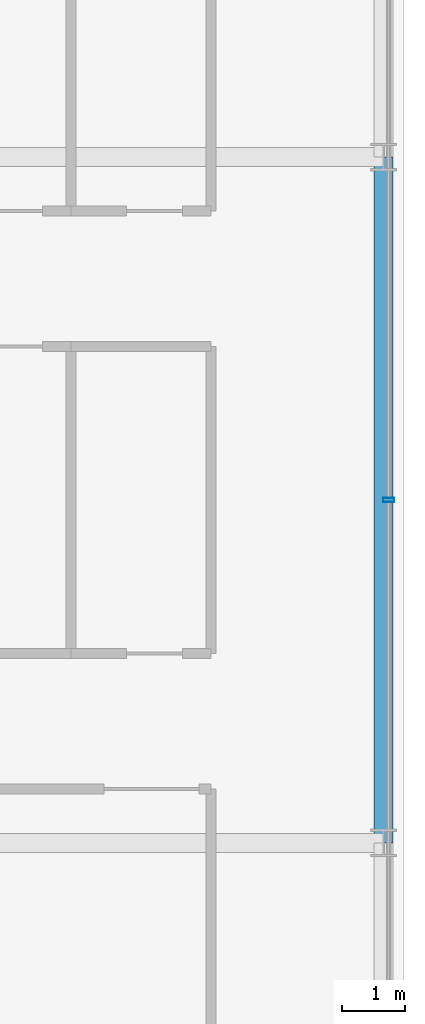
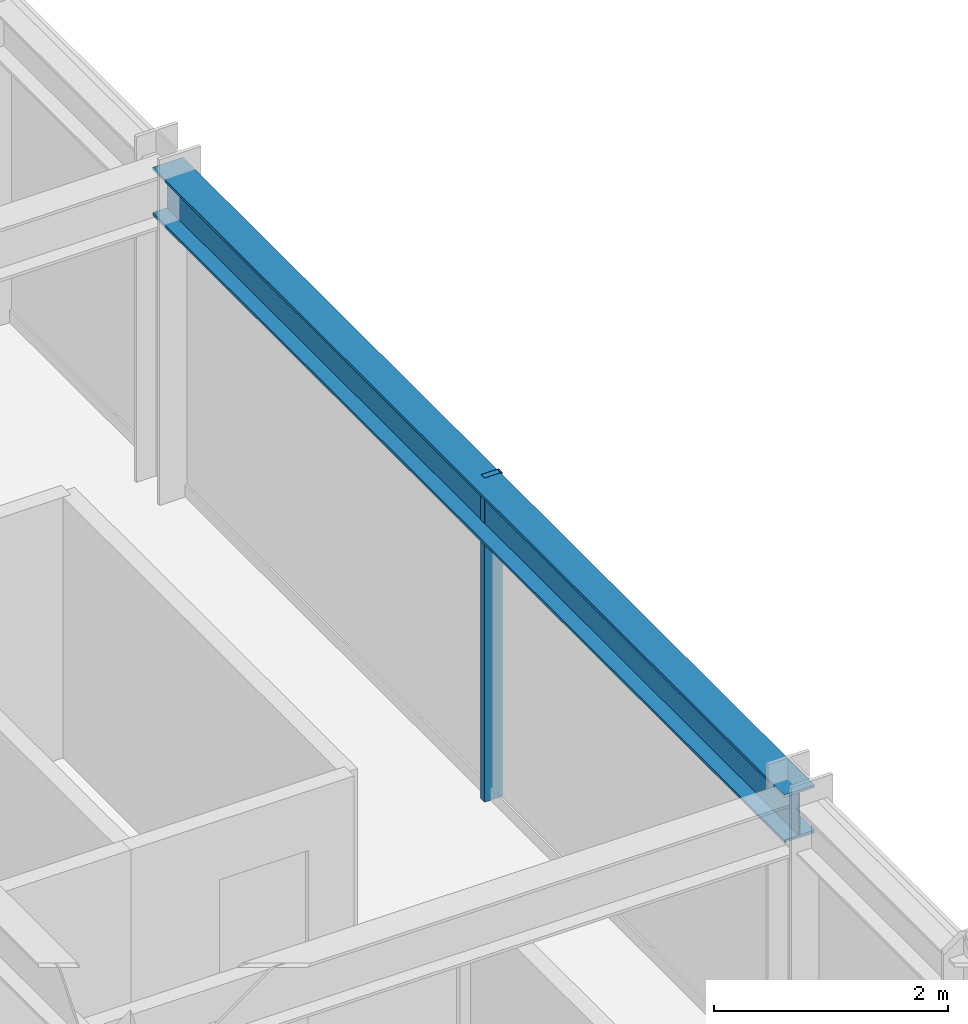
# One storey, part 15 of 31: 1 beam, 1 member, 1 element without a shape of its own.
"""IFC4 building model written with IfcOpenShell, lengths in metres."""

from ifc_helpers import new_model, si_unit, direction, frame, origin, origin_2d, place, context, subcontext, project, spatial, hollow_rectangle, i_section, extrude, source, transform, mapped, material, material_profile, profile_set, type_object, element, aggregate, save


model = new_model("IFC4")

# Units and contexts
model_context = context("Model", 3, precision=1e-05, world=origin(), true_north=direction((0.0, 1.0)))
body_context = subcontext(model_context, "Body", "Model", "MODEL_VIEW")
ifc_project = project(units=[si_unit("LENGTHUNIT", "METRE"), si_unit("AREAUNIT", "SQUARE_METRE"), si_unit("VOLUMEUNIT", "CUBIC_METRE"), si_unit("PLANEANGLEUNIT", "RADIAN"), si_unit("MASSUNIT", "GRAM", prefix="KILO")], contexts=[model_context])

# Site, building, storey
site_placement = place(None, origin())
site = spatial("IfcSite", under=ifc_project, at=site_placement, CompositionType="ELEMENT")
building_placement = place(site_placement, origin())
building = spatial("IfcBuilding", under=site, at=building_placement, Name="Nahalor Promenade Grand Hotel", CompositionType="ELEMENT")
storey_placement = place(building_placement, frame((0.0, 0.0, 95.60009765625)))
storey = spatial("IfcBuildingStorey", under=building, at=storey_placement, Name="L23", CompositionType="ELEMENT", Elevation=95.60009765625)

# Beam
ifc_material_1 = material(Name="Steel S355JR", Category="steel")
ifc_material_profile_1 = material_profile(ifc_material_1, i_section(OverallWidth=0.3, OverallDepth=0.5, WebThickness=0.0145, FlangeThickness=0.028, at=origin_2d()), Name="HEB 500")
ifc_profile_set_1 = profile_set([ifc_material_profile_1], Name="Steel S355JR")
beam_type = type_object("IfcBeamType", Name="Beam-Spandrel-HEB500", PredefinedType="SPANDREL", material=ifc_profile_set_1)
shared_shape_1 = source(origin(), body_context, "Body", "SweptSolid", [
    extrude(i_section(OverallWidth=0.3, OverallDepth=0.5, WebThickness=0.0145, FlangeThickness=0.028, at=origin_2d()), origin(), (0.0, 0.0, 1.0), 10.7998046875),
])
beam_placement = place(storey_placement, frame((23.780029296875, -5.39990234375, 3.1298828125), z_axis=(0.0, 1.0, 0.0), x_axis=(-1.0, 0.0, 0.0)))
element("IfcBeam", 1, at=beam_placement, inside=storey, type_object=beam_type, Name="BM-L23-SP-E-2", PredefinedType="SPANDREL", context=body_context, shape_type="MappedRepresentation", body=[
    mapped(shared_shape_1, transform((0.0, 0.0, 0.0), scale=1.0)),
])

# Curtain wall, member
ifc_material_2 = material(Name="Anodised Bronze Aluminium EN AW-6063 T6", Category="aluminium")
curtain_wall_type = type_object("IfcCurtainWallType", Name="CW2 Typical Hotel Flush Bronze Unitised Curtain Wall", PredefinedType="USERDEFINED", material=ifc_material_2)
curtain_wall_placement = place(storey_placement, origin())
curtain_wall = element("IfcCurtainWall", 2, at=curtain_wall_placement, inside=storey, type_object=curtain_wall_type, Name="L23 Curtain Wall CW-L23-E-1", ObjectType="UNITISED_CURTAIN_WALL", PredefinedType="USERDEFINED")
ifc_material_profile_2 = material_profile(ifc_material_2, hollow_rectangle(XDim=0.065, YDim=0.18, WallThickness=0.004, at=origin_2d()), Name="CWM 65x180x4")
ifc_profile_set_2 = profile_set([ifc_material_profile_2], Name="Anodised Bronze Aluminium EN AW-6063 T6")
member_type = type_object("IfcMemberType", Name="CWM2 Typical Bronze Mullion 65x180", PredefinedType="MULLION", material=ifc_profile_set_2)
shared_shape_2 = source(origin(), body_context, "Body", "SweptSolid", [
    extrude(hollow_rectangle(XDim=0.065, YDim=0.18, WallThickness=0.004, at=origin_2d()), origin(), (0.0, 0.0, 1.0), 3.3798828125),
])
member_placement = place(storey_placement, frame((23.860107421875, 0.0, 0.0), z_axis=(0.0, 0.0, 1.0), x_axis=(0.0, 1.0, 0.0)))
member = element("IfcMember", 3, at=member_placement, type_object=member_type, Name="CW-L23-E-1 Mullion 2", PredefinedType="MULLION", context=body_context, shape_type="MappedRepresentation", body=[
    mapped(shared_shape_2, transform((0.0, 0.0, 0.0), scale=1.0)),
])
aggregate(curtain_wall, [member])

save(model, "model.ifc")
